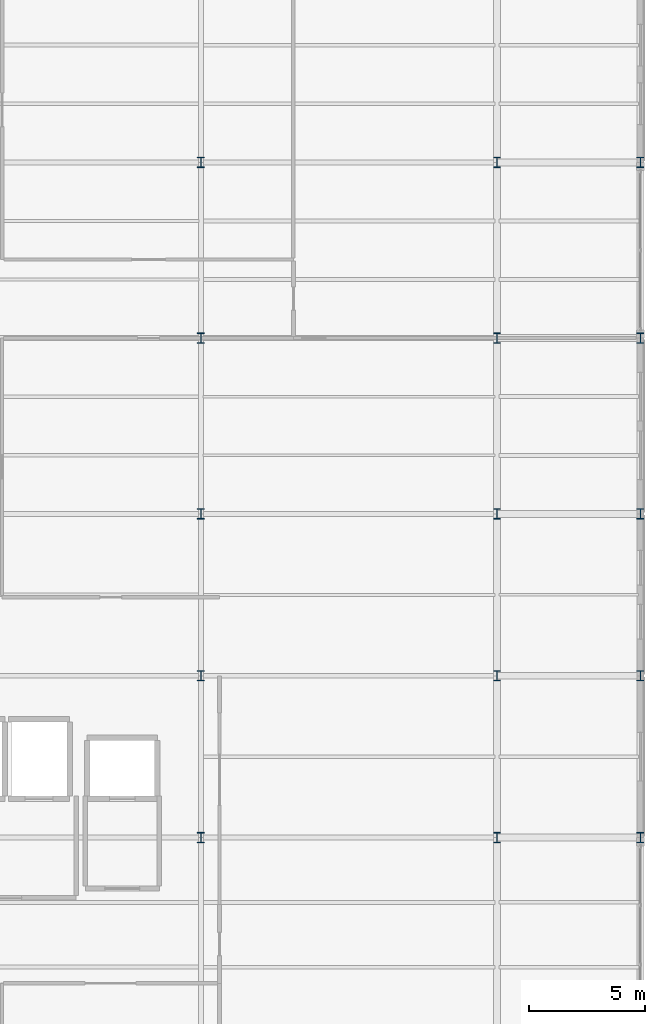
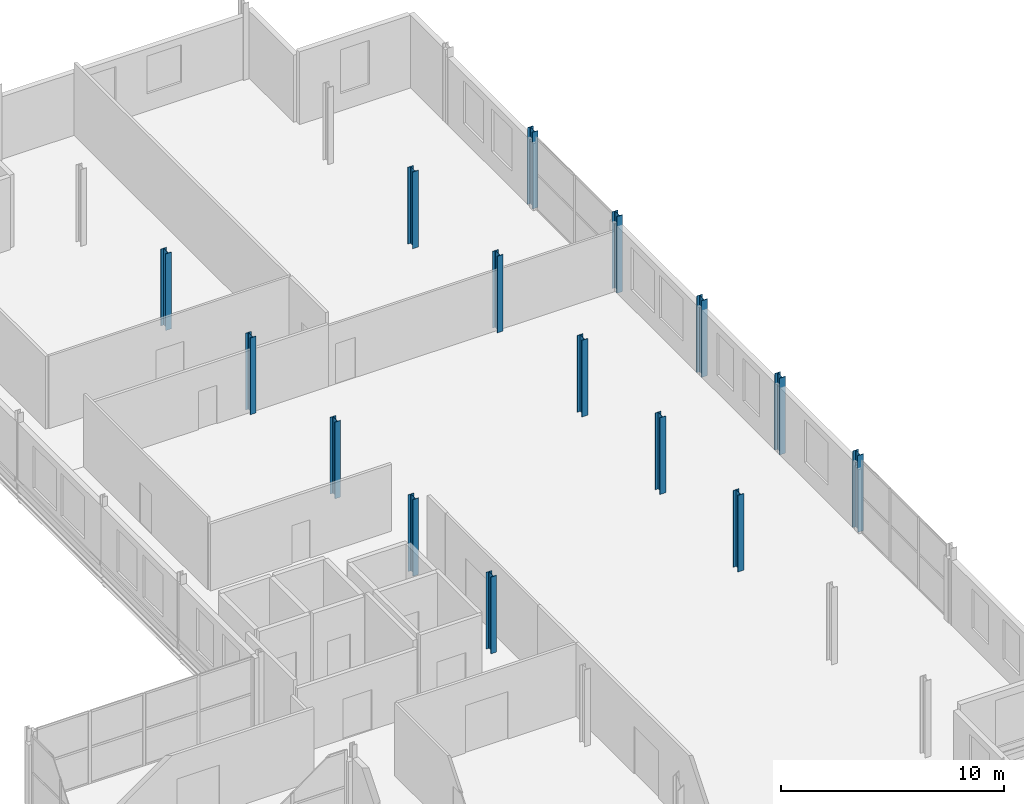
# One storey, part 12 of 93: 15 columns.
"""IFC4 building model written with IfcOpenShell, lengths in metres."""

from ifc_helpers import new_model, si_unit, direction, frame, origin, origin_2d, place, context, subcontext, project, spatial, i_section, extrude, material, material_profile, profile_set, type_object, element, save


model = new_model("IFC4")

# Units and contexts
model_context = context("Model", 3, precision=1e-05, world=origin(), true_north=direction((0.0, 1.0)))
body_context = subcontext(model_context, "Body", "Model", "MODEL_VIEW")
ifc_project = project(units=[si_unit("LENGTHUNIT", "METRE"), si_unit("AREAUNIT", "SQUARE_METRE"), si_unit("VOLUMEUNIT", "CUBIC_METRE"), si_unit("PLANEANGLEUNIT", "RADIAN"), si_unit("MASSUNIT", "GRAM", prefix="KILO")], contexts=[model_context])

# Site, building, storey
site_placement = place(None, origin())
site = spatial("IfcSite", under=ifc_project, at=site_placement, CompositionType="ELEMENT")
building_placement = place(site_placement, origin())
building = spatial("IfcBuilding", under=site, at=building_placement, Name="Vekula Escarpment Museum", CompositionType="ELEMENT")
storey_placement = place(building_placement, frame((0.0, 0.0, 22.199951171875)))
storey = spatial("IfcBuildingStorey", under=building, at=storey_placement, Name="L05", CompositionType="ELEMENT", Elevation=22.199951171875)

# Columns
ifc_material = material(Name="Steel S355", Category="steel")
ifc_material_profile = material_profile(ifc_material, i_section(OverallWidth=0.300048828125, OverallDepth=0.449951171875, WebThickness=0.013916015625, FlangeThickness=0.02587890625, FilletRadius=0.027099609375, at=origin_2d()), Name="HEB 450")
ifc_profile_set = profile_set([ifc_material_profile], Name="Steel S355")
column_type = type_object("IfcColumnType", Name="COL-S-HEB450", PredefinedType="COLUMN", material=ifc_profile_set)
for number, where, z_axis, x_axis, name in (
    (1, (179.0, 76.39990234375, 0.0), (0.0, 0.0, 1.0), (1.0, 0.0, 0.0), "Column L05 (179.0,76.4)"),
    (2, (179.0, 83.39990234375, 0.0), (0.0, 0.0, 1.0), (1.0, 0.0, 0.0), "Column L05 (179.0,83.4)"),
    (3, (179.0, 90.39990234375, 0.0), (0.0, 0.0, 1.0), (1.0, 0.0, 0.0), "Column L05 (179.0,90.4)"),
    (4, (179.0, 98.0, 0.0), (0.0, 0.0, 1.0), (1.0, 0.0, 0.0), "Column L05 (179.0,98.0)"),
    (5, (179.0, 105.60009765625, 0.0), (0.0, 0.0, 1.0), (1.0, 0.0, 0.0), "Column L05 (179.0,105.6)"),
    (6, (191.800048828125, 76.39990234375, 0.0), (0.0, 0.0, 1.0), (1.0, 0.0, 0.0), "Column L05 (191.8,76.4)"),
    (7, (191.800048828125, 83.39990234375, 0.0), (0.0, 0.0, 1.0), (1.0, 0.0, 0.0), "Column L05 (191.8,83.4)"),
    (8, (191.800048828125, 90.39990234375, 0.0), (0.0, 0.0, 1.0), (1.0, 0.0, 0.0), "Column L05 (191.8,90.4)"),
    (9, (191.800048828125, 98.0, 0.0), (0.0, 0.0, 1.0), (1.0, 0.0, 0.0), "Column L05 (191.8,98.0)"),
    (10, (191.800048828125, 105.60009765625, 0.0), (0.0, 0.0, 1.0), (1.0, 0.0, 0.0), "Column L05 (191.8,105.6)"),
    (11, (198.0, 76.39990234375, 0.0), (0.0, 0.0, 1.0), (1.0, 0.0, 0.0), "Column L05 (198.0,76.4)"),
    (12, (198.0, 83.39990234375, 0.0), (0.0, 0.0, 1.0), (1.0, 0.0, 0.0), "Column L05 (198.0,83.4)"),
    (13, (198.0, 90.39990234375, 0.0), (0.0, 0.0, 1.0), (1.0, 0.0, 0.0), "Column L05 (198.0,90.4)"),
    (14, (198.0, 98.0, 0.0), (0.0, 0.0, 1.0), (1.0, 0.0, 0.0), "Column L05 (198.0,98.0)"),
    (15, (198.0, 105.60009765625, 0.0), (0.0, 0.0, 1.0), (1.0, 0.0, 0.0), "Column L05 (198.0,105.6)"),
):
    element("IfcColumn", number, at=place(storey_placement, frame(where, z_axis=z_axis, x_axis=x_axis)), inside=storey, type_object=column_type, Name=name, PredefinedType="COLUMN", context=body_context, shape_type="SweptSolid", body=[
        extrude(i_section(OverallWidth=0.300048828125, OverallDepth=0.449951171875, WebThickness=0.013916015625, FlangeThickness=0.02587890625, FilletRadius=0.027099609375, at=origin_2d()), origin(), (0.0, 0.0, 1.0), 4.199951171875),
    ])

save(model, "model.ifc")
